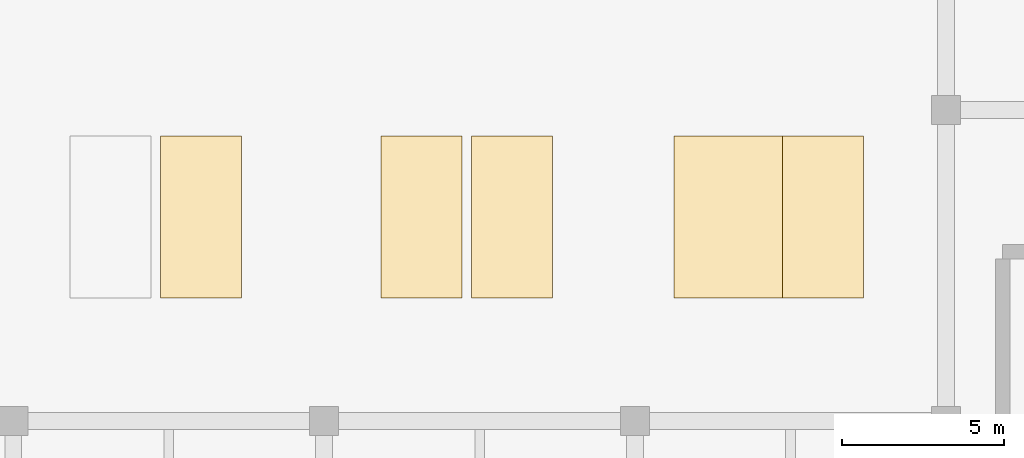
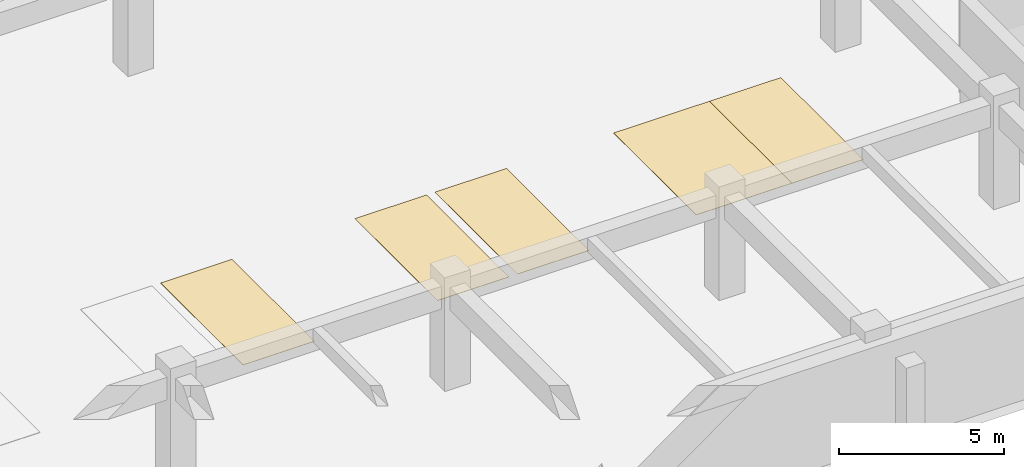
# One storey, part 25 of 39: 5 coverings.
"""IFC4 building model written with IfcOpenShell, lengths in metres."""

from ifc_helpers import new_model, si_unit, direction, frame, origin, place, context, subcontext, project, spatial, polyline, outline, extrude, material, layer, layer_set, type_object, element, save


model = new_model("IFC4")

# Units and contexts
model_context = context("Model", 3, precision=1e-05, world=origin(), true_north=direction((0.0, 1.0)))
body_context = subcontext(model_context, "Body", "Model", "MODEL_VIEW")
ifc_project = project(units=[si_unit("LENGTHUNIT", "METRE"), si_unit("AREAUNIT", "SQUARE_METRE"), si_unit("VOLUMEUNIT", "CUBIC_METRE"), si_unit("PLANEANGLEUNIT", "RADIAN"), si_unit("MASSUNIT", "GRAM", prefix="KILO")], contexts=[model_context])

# Site, building, storey
site_placement = place(None, origin())
site = spatial("IfcSite", under=ifc_project, at=site_placement, CompositionType="ELEMENT")
building_placement = place(site_placement, origin())
building = spatial("IfcBuilding", under=site, at=building_placement, Name="Nakhvara Creek Congress Hotel", CompositionType="ELEMENT")
storey_placement = place(building_placement, frame((0.0, 0.0, -4.199951171875)))
storey = spatial("IfcBuildingStorey", under=building, at=storey_placement, Name="B1", CompositionType="ELEMENT", Elevation=-4.199951171875)

# Coverings
ifc_material = material(Name="Thermoplastic reflective parking bay marking")
ifc_layer = layer(ifc_material, 0.014892578125)
ifc_layer_set = layer_set([ifc_layer], Name="Thermoplastic reflective parking bay marking")
covering_type = type_object("IfcCoveringType", Name="COV-PARK-MRK", PredefinedType="USERDEFINED", material=ifc_layer_set)
covering_1_placement = place(storey_placement, frame((0.0, 0.0, 0.008056640625)))
element("IfcCovering", 1, at=covering_1_placement, inside=storey, type_object=covering_type, Name="Parking Bay Demarcation B1-014", ObjectType="ROAD_MARKING", PredefinedType="USERDEFINED", context=body_context, shape_type="SweptSolid", body=[
    extrude(outline(polyline([(90.949951171875, 13.39990234375), (93.449951171875, 13.39990234375), (93.449951171875, 18.39990234375), (90.949951171875, 18.39990234375), (90.949951171875, 13.39990234375)])), origin(), (0.0, 0.0, 1.0), 0.011962890625),
])
covering_2_placement = place(storey_placement, frame((0.0, 0.0, 0.008056640625)))
element("IfcCovering", 2, at=covering_2_placement, inside=storey, type_object=covering_type, Name="Parking Bay Demarcation B1-015", ObjectType="ROAD_MARKING", PredefinedType="USERDEFINED", context=body_context, shape_type="SweptSolid", body=[
    extrude(outline(polyline([(97.75, 13.39990234375), (100.25, 13.39990234375), (100.25, 18.39990234375), (97.75, 18.39990234375), (97.75, 13.39990234375)])), origin(), (0.0, 0.0, 1.0), 0.011962890625),
])
covering_3_placement = place(storey_placement, frame((0.0, 0.0, 0.008056640625)))
element("IfcCovering", 3, at=covering_3_placement, inside=storey, type_object=covering_type, Name="Parking Bay Demarcation B1-016", ObjectType="ROAD_MARKING", PredefinedType="USERDEFINED", context=body_context, shape_type="SweptSolid", body=[
    extrude(outline(polyline([(100.550048828125, 13.39990234375), (103.050048828125, 13.39990234375), (103.050048828125, 18.39990234375), (100.550048828125, 18.39990234375), (100.550048828125, 13.39990234375)])), origin(), (0.0, 0.0, 1.0), 0.011962890625),
])
covering_4_placement = place(storey_placement, frame((0.0, 0.0, 0.008056640625)))
element("IfcCovering", 4, at=covering_4_placement, inside=storey, type_object=covering_type, Name="Accessible Parking Bay B1-17", ObjectType="ROAD_MARKING", PredefinedType="USERDEFINED", context=body_context, shape_type="SweptSolid", body=[
    extrude(outline(polyline([(106.800048828125, 13.39990234375), (110.39990234375, 13.39990234375), (110.39990234375, 18.39990234375), (106.800048828125, 18.39990234375), (106.800048828125, 13.39990234375)])), origin(), (0.0, 0.0, 1.0), 0.011962890625),
])
covering_5_placement = place(storey_placement, frame((0.0, 0.0, 0.008056640625)))
element("IfcCovering", 5, at=covering_5_placement, inside=storey, type_object=covering_type, Name="Parking Bay Demarcation B1-018", ObjectType="ROAD_MARKING", PredefinedType="USERDEFINED", context=body_context, shape_type="SweptSolid", body=[
    extrude(outline(polyline([(110.14990234375, 13.39990234375), (112.64990234375, 13.39990234375), (112.64990234375, 18.39990234375), (110.14990234375, 18.39990234375), (110.14990234375, 13.39990234375)])), origin(), (0.0, 0.0, 1.0), 0.011962890625),
])

save(model, "model.ifc")
